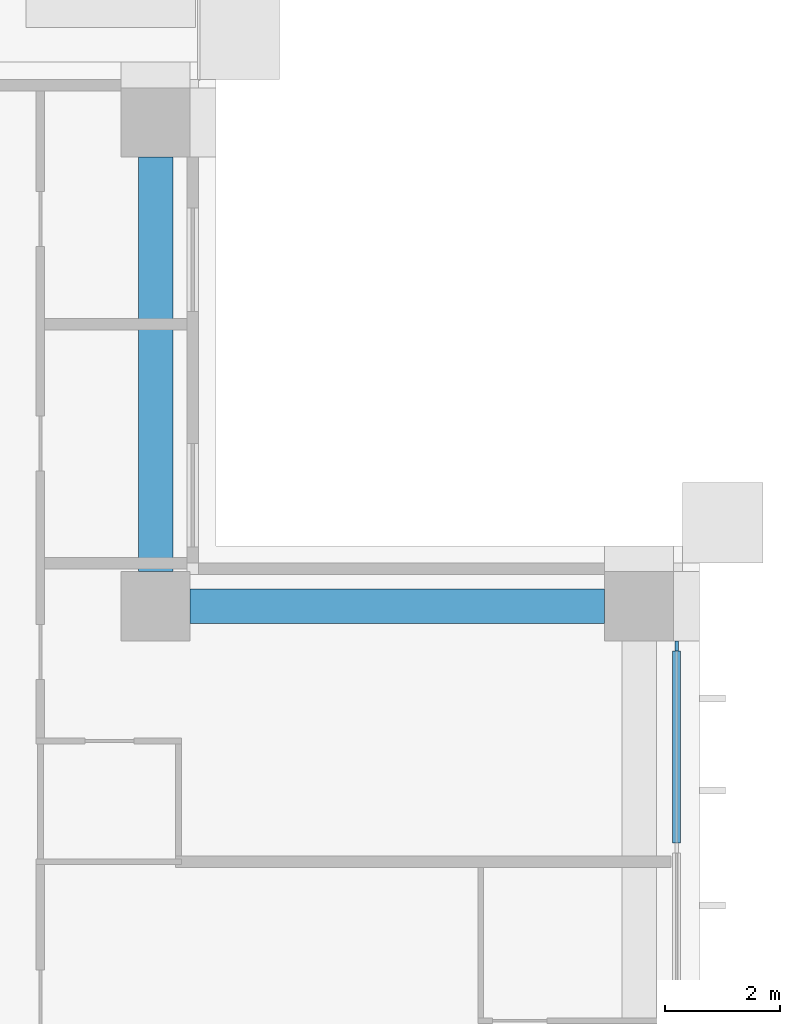
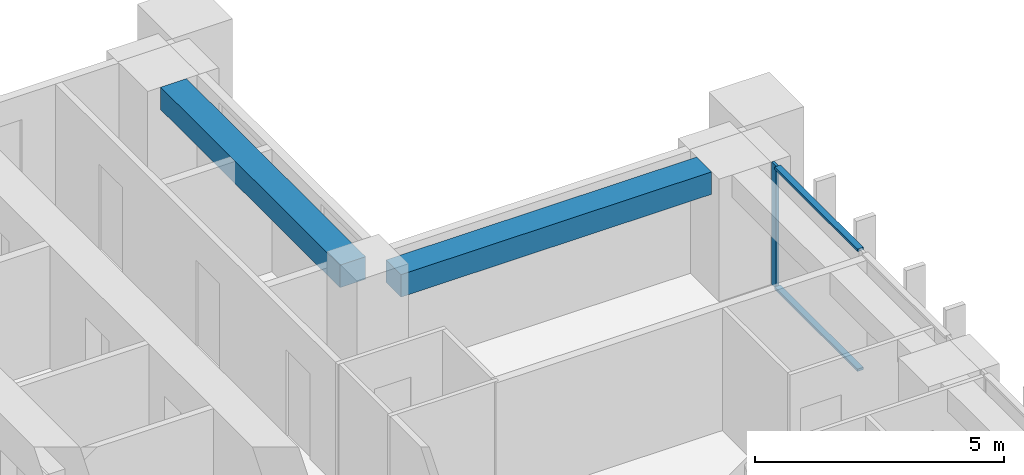
# One storey, part 7 of 21: 3 members, 2 beams, 1 element without a shape of its own.
"""IFC4 building model written with IfcOpenShell, lengths in metres."""

from ifc_helpers import new_model, si_unit, direction, frame, origin, origin_2d, place, context, subcontext, project, spatial, rectangle, extrude, material, material_profile, profile_set, type_object, element, aggregate, save


model = new_model("IFC4")

# Units and contexts
model_context = context("Model", 3, precision=1e-05, world=origin(), true_north=direction((0.0, 1.0)))
body_context = subcontext(model_context, "Body", "Model", "MODEL_VIEW")
ifc_project = project(units=[si_unit("LENGTHUNIT", "METRE"), si_unit("AREAUNIT", "SQUARE_METRE"), si_unit("VOLUMEUNIT", "CUBIC_METRE"), si_unit("PLANEANGLEUNIT", "RADIAN"), si_unit("MASSUNIT", "GRAM", prefix="KILO")], contexts=[model_context])

# Site, building, storey
site_placement = place(None, origin())
site = spatial("IfcSite", under=ifc_project, at=site_placement, CompositionType="ELEMENT")
building_placement = place(site_placement, origin())
building = spatial("IfcBuilding", under=site, at=building_placement, Name="Vermilion Ogive Tower", CompositionType="ELEMENT")
storey_placement = place(building_placement, frame((0.0, 0.0, 118.35009765625)))
storey = spatial("IfcBuildingStorey", under=building, at=storey_placement, Name="L30", CompositionType="ELEMENT", Elevation=118.35009765625)

# Curtain wall, members
ifc_material_1 = material(Name="Low-iron laminated glazing in aluminium frame", Category="aluminium")
curtain_wall_type = type_object("IfcCurtainWallType", Name="Curtain wall CW7", PredefinedType="NOTDEFINED", material=ifc_material_1)
curtain_wall_placement = place(storey_placement, origin())
curtain_wall = element("IfcCurtainWall", 1, at=curtain_wall_placement, inside=storey, type_object=curtain_wall_type, Name="Glazed skin E3", PredefinedType="NOTDEFINED")
ifc_material_2 = material(Name="Aluminium mullion", Category="aluminium")
ifc_material_profile_1 = material_profile(ifc_material_2, rectangle(XDim=0.06005859375, YDim=0.179931640625, at=origin_2d()), Name="AL 60x180")
ifc_profile_set_1 = profile_set([ifc_material_profile_1], Name="Aluminium mullion")
member_type_1 = type_object("IfcMemberType", Name="CW7 mullion 60x180", PredefinedType="MULLION", material=ifc_profile_set_1)
member_1_placement = place(storey_placement, frame((25.85009765625, 11.909912109375, 0.0), z_axis=(0.0, 0.0, 1.0), x_axis=(-1.0, 0.0, 0.0)))
member_1 = element("IfcMember", 2, at=member_1_placement, type_object=member_type_1, Name="CW7-E3 mullion 3", PredefinedType="MULLION", context=body_context, shape_type="SweptSolid", body=[
    extrude(rectangle(XDim=0.06005859375, YDim=0.179931640625, at=origin_2d()), origin(), (0.0, 0.0, 1.0), 3.0),
])
ifc_material_3 = material(Name="Aluminium transom", Category="aluminium")
ifc_material_profile_2 = material_profile(ifc_material_3, rectangle(XDim=0.139892578125, YDim=0.06005859375, at=origin_2d()), Name="AL 60x140")
ifc_profile_set_2 = profile_set([ifc_material_profile_2], Name="Aluminium transom")
member_type_2 = type_object("IfcMemberType", Name="CW7 transom 60x140", PredefinedType="USERDEFINED", material=ifc_profile_set_2)
member_2_placement = place(storey_placement, frame((25.85009765625, 8.489990234375, 0.02978515625), z_axis=(0.0, 1.0, 0.0), x_axis=(-1.0, 0.0, 0.0)))
member_2 = element("IfcMember", 3, at=member_2_placement, type_object=member_type_2, Name="CW7-E3 transom 2.1", ObjectType="TRANSOM", PredefinedType="USERDEFINED", context=body_context, shape_type="SweptSolid", body=[
    extrude(rectangle(XDim=0.139892578125, YDim=0.06005859375, at=origin_2d()), origin(), (0.0, 0.0, 1.0), 3.330078125),
])
member_3_placement = place(storey_placement, frame((25.85009765625, 8.489990234375, 2.969970703125), z_axis=(0.0, 1.0, 0.0), x_axis=(-1.0, 0.0, 0.0)))
member_3 = element("IfcMember", 4, at=member_3_placement, type_object=member_type_2, Name="CW7-E3 transom 2.2", ObjectType="TRANSOM", PredefinedType="USERDEFINED", context=body_context, shape_type="SweptSolid", body=[
    extrude(rectangle(XDim=0.139892578125, YDim=0.06005859375, at=origin_2d()), origin(), (0.0, 0.0, 1.0), 3.330078125),
])
aggregate(curtain_wall, [member_1, member_2, member_3])

# Beams
ifc_material_4 = material(Name="Concrete B45", Category="concrete")
ifc_material_profile_3 = material_profile(ifc_material_4, rectangle(XDim=0.60009765625, YDim=0.550048828125, at=origin_2d()), Name="600 x 550")
ifc_profile_set_3 = profile_set([ifc_material_profile_3], Name="Concrete B45")
beam_type = type_object("IfcBeamType", Name="Edge beam 600 x 550 B45", PredefinedType="BEAM", material=ifc_profile_set_3)
beam_1_placement = place(storey_placement, frame((24.60009765625, 12.60009765625, 2.724853515625), z_axis=(-1.0, 0.0, 0.0), x_axis=(0.0, -1.0, 0.0)))
element("IfcBeam", 5, at=beam_1_placement, inside=storey, type_object=beam_type, Name="L30-EB-10", PredefinedType="BEAM", context=body_context, shape_type="SweptSolid", body=[
    extrude(rectangle(XDim=0.60009765625, YDim=0.550048828125, at=origin_2d()), origin(), (0.0, 0.0, 1.0), 7.2001953125),
])
beam_2_placement = place(storey_placement, frame((16.800048828125, 13.199951171875, 2.724853515625), z_axis=(0.0, 1.0, 0.0), x_axis=(-1.0, 0.0, 0.0)))
element("IfcBeam", 6, at=beam_2_placement, inside=storey, type_object=beam_type, Name="L30-EB-11", PredefinedType="BEAM", context=body_context, shape_type="SweptSolid", body=[
    extrude(rectangle(XDim=0.60009765625, YDim=0.550048828125, at=origin_2d()), origin(), (0.0, 0.0, 1.0), 7.199951171875),
])

save(model, "model.ifc")
